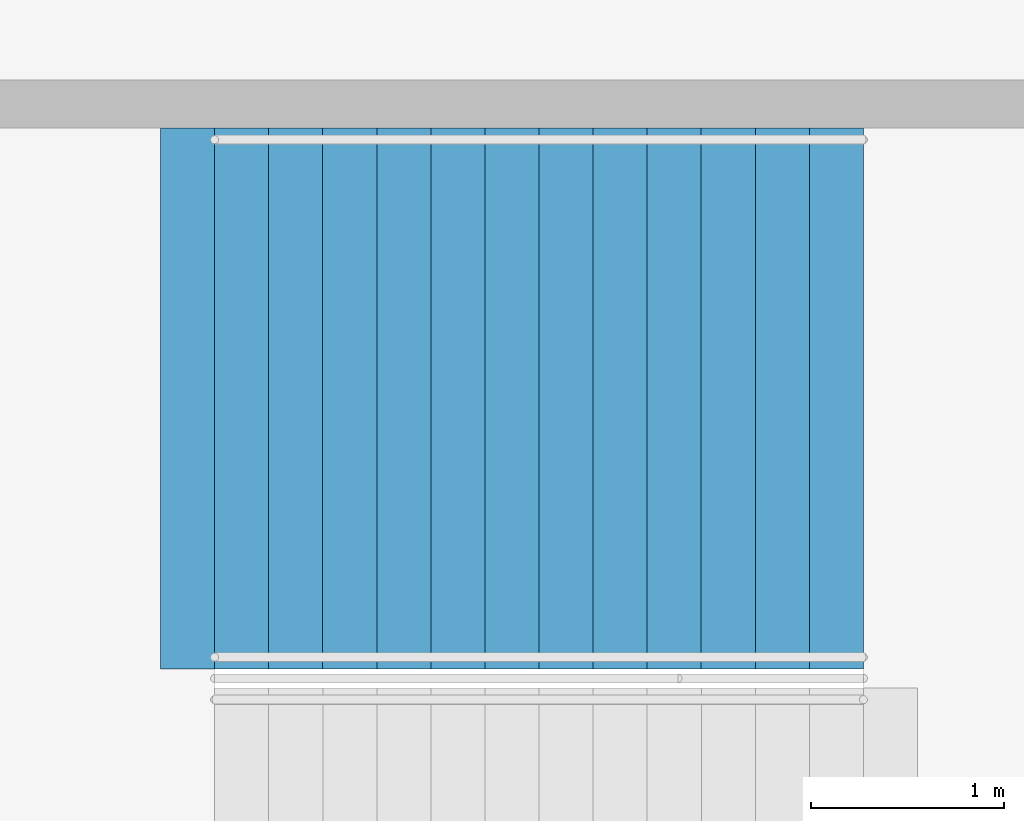
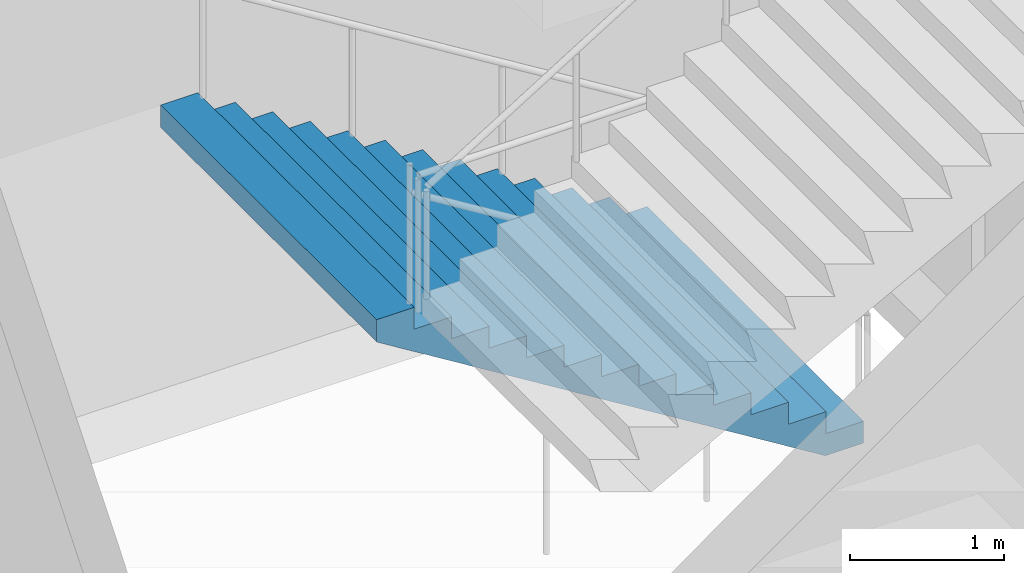
# One storey, part 108 of 175: 1 stair flight, 1 element without a shape of its own.
"""IFC4 building model written with IfcOpenShell, lengths in metres."""

from ifc_helpers import new_model, si_unit, direction, frame, origin, place, context, subcontext, project, spatial, faceted_brep, material, type_object, element, aggregate, save


model = new_model("IFC4")

# Units and contexts
model_context = context("Model", 3, precision=1e-05, world=origin(), true_north=direction((0.0, 1.0)))
body_context = subcontext(model_context, "Body", "Model", "MODEL_VIEW")
ifc_project = project(units=[si_unit("LENGTHUNIT", "METRE"), si_unit("AREAUNIT", "SQUARE_METRE"), si_unit("VOLUMEUNIT", "CUBIC_METRE"), si_unit("PLANEANGLEUNIT", "RADIAN"), si_unit("MASSUNIT", "GRAM", prefix="KILO")], contexts=[model_context])

# Site, building, storey
site_placement = place(None, origin())
site = spatial("IfcSite", under=ifc_project, at=site_placement, CompositionType="ELEMENT")
building_placement = place(site_placement, origin())
building = spatial("IfcBuilding", under=site, at=building_placement, Name="Ogive Plaza Stadium", CompositionType="ELEMENT")
storey_placement = place(building_placement, origin())
storey = spatial("IfcBuildingStorey", under=building, at=storey_placement, Name="L00", CompositionType="ELEMENT", Elevation=0.0)

# Stair, stair flight
ifc_material_1 = material(Name="Concrete C40/50", Category="concrete")
stair_type = type_object("IfcStairType", Name="Exit stair", PredefinedType="STRAIGHT_RUN_STAIR", material=ifc_material_1)
stair_placement = place(storey_placement, origin())
stair = element("IfcStair", 1, at=stair_placement, inside=storey, type_object=stair_type, Name="Exit stair ST26A L00 to L01", PredefinedType="STRAIGHT_RUN_STAIR")
ifc_material_2 = material(Name="Concrete C40/50", Category="concrete")
stair_flight_type = type_object("IfcStairFlightType", Name="Exit stair flight", PredefinedType="STRAIGHT", material=ifc_material_2)
stair_flight_placement = place(storey_placement, frame((-76.35009765625, 26.925048828125, 0.0), z_axis=(0.0, 0.0, 1.0), x_axis=(-1.0, 0.0, 0.0)))
stair_flight = element("IfcStairFlight", 2, at=stair_flight_placement, type_object=stair_flight_type, Name="ST26A flight 1", NumberOfRisers=13, NumberOfTreads=12, PredefinedType="STRAIGHT", RiserHeight=0.173076923, TreadLength=0.28, context=body_context, shape_type="Brep", body=[
    faceted_brep([(0.28515625, -1.39990234375, 0.0), (3.639892578125, -1.39990234375, 2.07373046875), (3.639892578125, -1.39990234375, 2.25), (3.360107421875, -1.39990234375, 2.25), (3.360107421875, -1.39990234375, 2.076904296875), (3.080078125, -1.39990234375, 2.076904296875), (3.080078125, -1.39990234375, 1.90380859375), (2.800048828125, -1.39990234375, 1.90380859375), (2.800048828125, -1.39990234375, 1.730712890625), (2.52001953125, -1.39990234375, 1.730712890625), (2.52001953125, -1.39990234375, 1.5576171875), (2.239990234375, -1.39990234375, 1.5576171875), (2.239990234375, -1.39990234375, 1.384521484375), (1.9599609375, -1.39990234375, 1.384521484375), (1.9599609375, -1.39990234375, 1.21142578125), (1.679931640625, -1.39990234375, 1.21142578125), (1.679931640625, -1.39990234375, 1.03857421875), (1.39990234375, -1.39990234375, 1.03857421875), (1.39990234375, -1.39990234375, 0.865478515625), (1.1201171875, -1.39990234375, 0.865478515625), (1.1201171875, -1.39990234375, 0.6923828125), (0.840087890625, -1.39990234375, 0.6923828125), (0.840087890625, -1.39990234375, 0.519287109375), (0.56005859375, -1.39990234375, 0.519287109375), (0.56005859375, -1.39990234375, 0.34619140625), (0.280029296875, -1.39990234375, 0.34619140625), (0.280029296875, -1.39990234375, 0.173095703125), (0.0, -1.39990234375, 0.173095703125), (0.0, -1.39990234375, 0.0), (0.0, 1.39990234375, 0.0), (0.0, 1.39990234375, 0.173095703125), (0.280029296875, 1.39990234375, 0.173095703125), (0.280029296875, 1.39990234375, 0.34619140625), (0.56005859375, 1.39990234375, 0.34619140625), (0.56005859375, 1.39990234375, 0.519287109375), (0.840087890625, 1.39990234375, 0.519287109375), (0.840087890625, 1.39990234375, 0.6923828125), (1.1201171875, 1.39990234375, 0.6923828125), (1.1201171875, 1.39990234375, 0.865478515625), (1.39990234375, 1.39990234375, 0.865478515625), (1.39990234375, 1.39990234375, 1.03857421875), (1.679931640625, 1.39990234375, 1.03857421875), (1.679931640625, 1.39990234375, 1.21142578125), (1.9599609375, 1.39990234375, 1.21142578125), (1.9599609375, 1.39990234375, 1.384521484375), (2.239990234375, 1.39990234375, 1.384521484375), (2.239990234375, 1.39990234375, 1.5576171875), (2.52001953125, 1.39990234375, 1.5576171875), (2.52001953125, 1.39990234375, 1.730712890625), (2.800048828125, 1.39990234375, 1.730712890625), (2.800048828125, 1.39990234375, 1.90380859375), (3.080078125, 1.39990234375, 1.90380859375), (3.080078125, 1.39990234375, 2.076904296875), (3.360107421875, 1.39990234375, 2.076904296875), (3.360107421875, 1.39990234375, 2.25), (3.639892578125, 1.39990234375, 2.25), (3.639892578125, 1.39990234375, 2.07373046875), (0.28515625, 1.39990234375, 0.0), (0.28515625, -1.0888671875, 0.0), (3.639892578125, -1.0888671875, 2.07373046875), (0.28515625, -0.77783203125, 0.0), (3.639892578125, -0.77783203125, 2.07373046875), (0.28515625, -0.466796875, 0.0), (3.639892578125, -0.466796875, 2.07373046875), (0.28515625, -0.155517578125, 0.0), (3.639892578125, -0.155517578125, 2.07373046875), (0.28515625, 0.155517578125, 0.0), (3.639892578125, 0.155517578125, 2.07373046875), (0.28515625, 0.466796875, 0.0), (3.639892578125, 0.466796875, 2.07373046875), (0.28515625, 0.77783203125, 0.0), (3.639892578125, 0.77783203125, 2.07373046875), (0.28515625, 1.0888671875, 0.0), (3.639892578125, 1.0888671875, 2.07373046875), (3.639892578125, -1.0888671875, 2.25), (3.639892578125, -0.77783203125, 2.25), (3.639892578125, -0.466796875, 2.25), (3.639892578125, -0.155517578125, 2.25), (3.639892578125, 0.155517578125, 2.25), (3.639892578125, 0.466796875, 2.25), (3.639892578125, 0.77783203125, 2.25), (3.639892578125, 1.0888671875, 2.25), (3.360107421875, -1.0888671875, 2.25), (3.360107421875, -0.77783203125, 2.25), (3.360107421875, -0.466796875, 2.25), (3.360107421875, -0.155517578125, 2.25), (3.360107421875, 0.155517578125, 2.25), (3.360107421875, 0.466796875, 2.25), (3.360107421875, 0.77783203125, 2.25), (3.360107421875, 1.0888671875, 2.25), (3.360107421875, -1.0888671875, 2.076904296875), (3.360107421875, -0.77783203125, 2.076904296875), (3.360107421875, -0.466796875, 2.076904296875), (3.360107421875, -0.155517578125, 2.076904296875), (3.360107421875, 0.155517578125, 2.076904296875), (3.360107421875, 0.466796875, 2.076904296875), (3.360107421875, 0.77783203125, 2.076904296875), (3.360107421875, 1.0888671875, 2.076904296875), (3.080078125, -1.0888671875, 2.076904296875), (3.080078125, -0.77783203125, 2.076904296875), (3.080078125, -0.466796875, 2.076904296875), (3.080078125, -0.155517578125, 2.076904296875), (3.080078125, 0.155517578125, 2.076904296875), (3.080078125, 0.466796875, 2.076904296875), (3.080078125, 0.77783203125, 2.076904296875), (3.080078125, 1.0888671875, 2.076904296875), (3.080078125, -1.0888671875, 1.90380859375), (3.080078125, -0.77783203125, 1.90380859375), (3.080078125, -0.466796875, 1.90380859375), (3.080078125, -0.155517578125, 1.90380859375), (3.080078125, 0.155517578125, 1.90380859375), (3.080078125, 0.466796875, 1.90380859375), (3.080078125, 0.77783203125, 1.90380859375), (3.080078125, 1.0888671875, 1.90380859375), (2.800048828125, -1.0888671875, 1.90380859375), (2.800048828125, -0.77783203125, 1.90380859375), (2.800048828125, -0.466796875, 1.90380859375), (2.800048828125, -0.155517578125, 1.90380859375), (2.800048828125, 0.155517578125, 1.90380859375), (2.800048828125, 0.466796875, 1.90380859375), (2.800048828125, 0.77783203125, 1.90380859375), (2.800048828125, 1.0888671875, 1.90380859375), (2.800048828125, -1.0888671875, 1.730712890625), (2.800048828125, -0.77783203125, 1.730712890625), (2.800048828125, -0.466796875, 1.730712890625), (2.800048828125, -0.155517578125, 1.730712890625), (2.800048828125, 0.155517578125, 1.730712890625), (2.800048828125, 0.466796875, 1.730712890625), (2.800048828125, 0.77783203125, 1.730712890625), (2.800048828125, 1.0888671875, 1.730712890625), (2.52001953125, -1.0888671875, 1.730712890625), (2.52001953125, -0.77783203125, 1.730712890625), (2.52001953125, -0.466796875, 1.730712890625), (2.52001953125, -0.155517578125, 1.730712890625), (2.52001953125, 0.155517578125, 1.730712890625), (2.52001953125, 0.466796875, 1.730712890625), (2.52001953125, 0.77783203125, 1.730712890625), (2.52001953125, 1.0888671875, 1.730712890625), (2.52001953125, -1.0888671875, 1.5576171875), (2.52001953125, -0.77783203125, 1.5576171875), (2.52001953125, -0.466796875, 1.5576171875), (2.52001953125, -0.155517578125, 1.5576171875), (2.52001953125, 0.155517578125, 1.5576171875), (2.52001953125, 0.466796875, 1.5576171875), (2.52001953125, 0.77783203125, 1.5576171875), (2.52001953125, 1.0888671875, 1.5576171875), (2.239990234375, -1.0888671875, 1.5576171875), (2.239990234375, -0.77783203125, 1.5576171875), (2.239990234375, -0.466796875, 1.5576171875), (2.239990234375, -0.155517578125, 1.5576171875), (2.239990234375, 0.155517578125, 1.5576171875), (2.239990234375, 0.466796875, 1.5576171875), (2.239990234375, 0.77783203125, 1.5576171875), (2.239990234375, 1.0888671875, 1.5576171875), (2.239990234375, -1.0888671875, 1.384521484375), (2.239990234375, -0.77783203125, 1.384521484375), (2.239990234375, -0.466796875, 1.384521484375), (2.239990234375, -0.155517578125, 1.384521484375), (2.239990234375, 0.155517578125, 1.384521484375), (2.239990234375, 0.466796875, 1.384521484375), (2.239990234375, 0.77783203125, 1.384521484375), (2.239990234375, 1.0888671875, 1.384521484375), (1.9599609375, -1.0888671875, 1.384521484375), (1.9599609375, -0.77783203125, 1.384521484375), (1.9599609375, -0.466796875, 1.384521484375), (1.9599609375, -0.155517578125, 1.384521484375), (1.9599609375, 0.155517578125, 1.384521484375), (1.9599609375, 0.466796875, 1.384521484375), (1.9599609375, 0.77783203125, 1.384521484375), (1.9599609375, 1.0888671875, 1.384521484375), (1.9599609375, -1.0888671875, 1.21142578125), (1.9599609375, -0.77783203125, 1.21142578125), (1.9599609375, -0.466796875, 1.21142578125), (1.9599609375, -0.155517578125, 1.21142578125), (1.9599609375, 0.155517578125, 1.21142578125), (1.9599609375, 0.466796875, 1.21142578125), (1.9599609375, 0.77783203125, 1.21142578125), (1.9599609375, 1.0888671875, 1.21142578125), (1.679931640625, -1.0888671875, 1.21142578125), (1.679931640625, -0.77783203125, 1.21142578125), (1.679931640625, -0.466796875, 1.21142578125), (1.679931640625, -0.155517578125, 1.21142578125), (1.679931640625, 0.155517578125, 1.21142578125), (1.679931640625, 0.466796875, 1.21142578125), (1.679931640625, 0.77783203125, 1.21142578125), (1.679931640625, 1.0888671875, 1.21142578125), (1.679931640625, -1.0888671875, 1.03857421875), (1.679931640625, -0.77783203125, 1.03857421875), (1.679931640625, -0.466796875, 1.03857421875), (1.679931640625, -0.155517578125, 1.03857421875), (1.679931640625, 0.155517578125, 1.03857421875), (1.679931640625, 0.466796875, 1.03857421875), (1.679931640625, 0.77783203125, 1.03857421875), (1.679931640625, 1.0888671875, 1.03857421875), (1.39990234375, -1.0888671875, 1.03857421875), (1.39990234375, -0.77783203125, 1.03857421875), (1.39990234375, -0.466796875, 1.03857421875), (1.39990234375, -0.155517578125, 1.03857421875), (1.39990234375, 0.155517578125, 1.03857421875), (1.39990234375, 0.466796875, 1.03857421875), (1.39990234375, 0.77783203125, 1.03857421875), (1.39990234375, 1.0888671875, 1.03857421875), (1.39990234375, -1.0888671875, 0.865478515625), (1.39990234375, -0.77783203125, 0.865478515625), (1.39990234375, -0.466796875, 0.865478515625), (1.39990234375, -0.155517578125, 0.865478515625), (1.39990234375, 0.155517578125, 0.865478515625), (1.39990234375, 0.466796875, 0.865478515625), (1.39990234375, 0.77783203125, 0.865478515625), (1.39990234375, 1.0888671875, 0.865478515625), (1.1201171875, -1.0888671875, 0.865478515625), (1.1201171875, -0.77783203125, 0.865478515625), (1.1201171875, -0.466796875, 0.865478515625), (1.1201171875, -0.155517578125, 0.865478515625), (1.1201171875, 0.155517578125, 0.865478515625), (1.1201171875, 0.466796875, 0.865478515625), (1.1201171875, 0.77783203125, 0.865478515625), (1.1201171875, 1.0888671875, 0.865478515625), (1.1201171875, -1.0888671875, 0.6923828125), (1.1201171875, -0.77783203125, 0.6923828125), (1.1201171875, -0.466796875, 0.6923828125), (1.1201171875, -0.155517578125, 0.6923828125), (1.1201171875, 0.155517578125, 0.6923828125), (1.1201171875, 0.466796875, 0.6923828125), (1.1201171875, 0.77783203125, 0.6923828125), (1.1201171875, 1.0888671875, 0.6923828125), (0.840087890625, -1.0888671875, 0.6923828125), (0.840087890625, -0.77783203125, 0.6923828125), (0.840087890625, -0.466796875, 0.6923828125), (0.840087890625, -0.155517578125, 0.6923828125), (0.840087890625, 0.155517578125, 0.6923828125), (0.840087890625, 0.466796875, 0.6923828125), (0.840087890625, 0.77783203125, 0.6923828125), (0.840087890625, 1.0888671875, 0.6923828125), (0.840087890625, -1.0888671875, 0.519287109375), (0.840087890625, -0.77783203125, 0.519287109375), (0.840087890625, -0.466796875, 0.519287109375), (0.840087890625, -0.155517578125, 0.519287109375), (0.840087890625, 0.155517578125, 0.519287109375), (0.840087890625, 0.466796875, 0.519287109375), (0.840087890625, 0.77783203125, 0.519287109375), (0.840087890625, 1.0888671875, 0.519287109375), (0.56005859375, -1.0888671875, 0.519287109375), (0.56005859375, -0.77783203125, 0.519287109375), (0.56005859375, -0.466796875, 0.519287109375), (0.56005859375, -0.155517578125, 0.519287109375), (0.56005859375, 0.155517578125, 0.519287109375), (0.56005859375, 0.466796875, 0.519287109375), (0.56005859375, 0.77783203125, 0.519287109375), (0.56005859375, 1.0888671875, 0.519287109375), (0.56005859375, -1.0888671875, 0.34619140625), (0.56005859375, -0.77783203125, 0.34619140625), (0.56005859375, -0.466796875, 0.34619140625), (0.56005859375, -0.155517578125, 0.34619140625), (0.56005859375, 0.155517578125, 0.34619140625), (0.56005859375, 0.466796875, 0.34619140625), (0.56005859375, 0.77783203125, 0.34619140625), (0.56005859375, 1.0888671875, 0.34619140625), (0.280029296875, -1.0888671875, 0.34619140625), (0.280029296875, -0.77783203125, 0.34619140625), (0.280029296875, -0.466796875, 0.34619140625), (0.280029296875, -0.155517578125, 0.34619140625), (0.280029296875, 0.155517578125, 0.34619140625), (0.280029296875, 0.466796875, 0.34619140625), (0.280029296875, 0.77783203125, 0.34619140625), (0.280029296875, 1.0888671875, 0.34619140625), (0.280029296875, -1.0888671875, 0.173095703125), (0.280029296875, -0.77783203125, 0.173095703125), (0.280029296875, -0.466796875, 0.173095703125), (0.280029296875, -0.155517578125, 0.173095703125), (0.280029296875, 0.155517578125, 0.173095703125), (0.280029296875, 0.466796875, 0.173095703125), (0.280029296875, 0.77783203125, 0.173095703125), (0.280029296875, 1.0888671875, 0.173095703125), (0.0, -1.0888671875, 0.173095703125), (0.0, -0.77783203125, 0.173095703125), (0.0, -0.466796875, 0.173095703125), (0.0, -0.155517578125, 0.173095703125), (0.0, 0.155517578125, 0.173095703125), (0.0, 0.466796875, 0.173095703125), (0.0, 0.77783203125, 0.173095703125), (0.0, 1.0888671875, 0.173095703125), (0.0, -1.0888671875, 0.0), (0.0, -0.77783203125, 0.0), (0.0, -0.466796875, 0.0), (0.0, -0.155517578125, 0.0), (0.0, 0.155517578125, 0.0), (0.0, 0.466796875, 0.0), (0.0, 0.77783203125, 0.0), (0.0, 1.0888671875, 0.0)], [[[0, 1, 2, 3, 4, 5, 6, 7, 8, 9, 10, 11, 12, 13, 14, 15, 16, 17, 18, 19, 20, 21, 22, 23, 24, 25, 26, 27, 28]], [[29, 30, 31, 32, 33, 34, 35, 36, 37, 38, 39, 40, 41, 42, 43, 44, 45, 46, 47, 48, 49, 50, 51, 52, 53, 54, 55, 56, 57]], [[0, 58, 59, 1]], [[58, 60, 61, 59]], [[60, 62, 63, 61]], [[62, 64, 65, 63]], [[64, 66, 67, 65]], [[66, 68, 69, 67]], [[68, 70, 71, 69]], [[70, 72, 73, 71]], [[72, 57, 56, 73]], [[1, 59, 74, 2]], [[59, 61, 75, 74]], [[61, 63, 76, 75]], [[63, 65, 77, 76]], [[65, 67, 78, 77]], [[67, 69, 79, 78]], [[69, 71, 80, 79]], [[71, 73, 81, 80]], [[73, 56, 55, 81]], [[2, 74, 82, 3]], [[74, 75, 83, 82]], [[75, 76, 84, 83]], [[76, 77, 85, 84]], [[77, 78, 86, 85]], [[78, 79, 87, 86]], [[79, 80, 88, 87]], [[80, 81, 89, 88]], [[81, 55, 54, 89]], [[3, 82, 90, 4]], [[82, 83, 91, 90]], [[83, 84, 92, 91]], [[84, 85, 93, 92]], [[85, 86, 94, 93]], [[86, 87, 95, 94]], [[87, 88, 96, 95]], [[88, 89, 97, 96]], [[89, 54, 53, 97]], [[4, 90, 98, 5]], [[90, 91, 99, 98]], [[91, 92, 100, 99]], [[92, 93, 101, 100]], [[93, 94, 102, 101]], [[94, 95, 103, 102]], [[95, 96, 104, 103]], [[96, 97, 105, 104]], [[97, 53, 52, 105]], [[5, 98, 106, 6]], [[98, 99, 107, 106]], [[99, 100, 108, 107]], [[100, 101, 109, 108]], [[101, 102, 110, 109]], [[102, 103, 111, 110]], [[103, 104, 112, 111]], [[104, 105, 113, 112]], [[105, 52, 51, 113]], [[6, 106, 114, 7]], [[106, 107, 115, 114]], [[107, 108, 116, 115]], [[108, 109, 117, 116]], [[109, 110, 118, 117]], [[110, 111, 119, 118]], [[111, 112, 120, 119]], [[112, 113, 121, 120]], [[113, 51, 50, 121]], [[7, 114, 122, 8]], [[114, 115, 123, 122]], [[115, 116, 124, 123]], [[116, 117, 125, 124]], [[117, 118, 126, 125]], [[118, 119, 127, 126]], [[119, 120, 128, 127]], [[120, 121, 129, 128]], [[121, 50, 49, 129]], [[8, 122, 130, 9]], [[122, 123, 131, 130]], [[123, 124, 132, 131]], [[124, 125, 133, 132]], [[125, 126, 134, 133]], [[126, 127, 135, 134]], [[127, 128, 136, 135]], [[128, 129, 137, 136]], [[129, 49, 48, 137]], [[9, 130, 138, 10]], [[130, 131, 139, 138]], [[131, 132, 140, 139]], [[132, 133, 141, 140]], [[133, 134, 142, 141]], [[134, 135, 143, 142]], [[135, 136, 144, 143]], [[136, 137, 145, 144]], [[137, 48, 47, 145]], [[10, 138, 146, 11]], [[138, 139, 147, 146]], [[139, 140, 148, 147]], [[140, 141, 149, 148]], [[141, 142, 150, 149]], [[142, 143, 151, 150]], [[143, 144, 152, 151]], [[144, 145, 153, 152]], [[145, 47, 46, 153]], [[11, 146, 154, 12]], [[146, 147, 155, 154]], [[147, 148, 156, 155]], [[148, 149, 157, 156]], [[149, 150, 158, 157]], [[150, 151, 159, 158]], [[151, 152, 160, 159]], [[152, 153, 161, 160]], [[153, 46, 45, 161]], [[12, 154, 162, 13]], [[154, 155, 163, 162]], [[155, 156, 164, 163]], [[156, 157, 165, 164]], [[157, 158, 166, 165]], [[158, 159, 167, 166]], [[159, 160, 168, 167]], [[160, 161, 169, 168]], [[161, 45, 44, 169]], [[13, 162, 170, 14]], [[162, 163, 171, 170]], [[163, 164, 172, 171]], [[164, 165, 173, 172]], [[165, 166, 174, 173]], [[166, 167, 175, 174]], [[167, 168, 176, 175]], [[168, 169, 177, 176]], [[169, 44, 43, 177]], [[14, 170, 178, 15]], [[170, 171, 179, 178]], [[171, 172, 180, 179]], [[172, 173, 181, 180]], [[173, 174, 182, 181]], [[174, 175, 183, 182]], [[175, 176, 184, 183]], [[176, 177, 185, 184]], [[177, 43, 42, 185]], [[15, 178, 186, 16]], [[178, 179, 187, 186]], [[179, 180, 188, 187]], [[180, 181, 189, 188]], [[181, 182, 190, 189]], [[182, 183, 191, 190]], [[183, 184, 192, 191]], [[184, 185, 193, 192]], [[185, 42, 41, 193]], [[16, 186, 194, 17]], [[186, 187, 195, 194]], [[187, 188, 196, 195]], [[188, 189, 197, 196]], [[189, 190, 198, 197]], [[190, 191, 199, 198]], [[191, 192, 200, 199]], [[192, 193, 201, 200]], [[193, 41, 40, 201]], [[17, 194, 202, 18]], [[194, 195, 203, 202]], [[195, 196, 204, 203]], [[196, 197, 205, 204]], [[197, 198, 206, 205]], [[198, 199, 207, 206]], [[199, 200, 208, 207]], [[200, 201, 209, 208]], [[201, 40, 39, 209]], [[18, 202, 210, 19]], [[202, 203, 211, 210]], [[203, 204, 212, 211]], [[204, 205, 213, 212]], [[205, 206, 214, 213]], [[206, 207, 215, 214]], [[207, 208, 216, 215]], [[208, 209, 217, 216]], [[209, 39, 38, 217]], [[19, 210, 218, 20]], [[210, 211, 219, 218]], [[211, 212, 220, 219]], [[212, 213, 221, 220]], [[213, 214, 222, 221]], [[214, 215, 223, 222]], [[215, 216, 224, 223]], [[216, 217, 225, 224]], [[217, 38, 37, 225]], [[20, 218, 226, 21]], [[218, 219, 227, 226]], [[219, 220, 228, 227]], [[220, 221, 229, 228]], [[221, 222, 230, 229]], [[222, 223, 231, 230]], [[223, 224, 232, 231]], [[224, 225, 233, 232]], [[225, 37, 36, 233]], [[21, 226, 234, 22]], [[226, 227, 235, 234]], [[227, 228, 236, 235]], [[228, 229, 237, 236]], [[229, 230, 238, 237]], [[230, 231, 239, 238]], [[231, 232, 240, 239]], [[232, 233, 241, 240]], [[233, 36, 35, 241]], [[22, 234, 242, 23]], [[234, 235, 243, 242]], [[235, 236, 244, 243]], [[236, 237, 245, 244]], [[237, 238, 246, 245]], [[238, 239, 247, 246]], [[239, 240, 248, 247]], [[240, 241, 249, 248]], [[241, 35, 34, 249]], [[23, 242, 250, 24]], [[242, 243, 251, 250]], [[243, 244, 252, 251]], [[244, 245, 253, 252]], [[245, 246, 254, 253]], [[246, 247, 255, 254]], [[247, 248, 256, 255]], [[248, 249, 257, 256]], [[249, 34, 33, 257]], [[24, 250, 258, 25]], [[250, 251, 259, 258]], [[251, 252, 260, 259]], [[252, 253, 261, 260]], [[253, 254, 262, 261]], [[254, 255, 263, 262]], [[255, 256, 264, 263]], [[256, 257, 265, 264]], [[257, 33, 32, 265]], [[25, 258, 266, 26]], [[258, 259, 267, 266]], [[259, 260, 268, 267]], [[260, 261, 269, 268]], [[261, 262, 270, 269]], [[262, 263, 271, 270]], [[263, 264, 272, 271]], [[264, 265, 273, 272]], [[265, 32, 31, 273]], [[26, 266, 274, 27]], [[266, 267, 275, 274]], [[267, 268, 276, 275]], [[268, 269, 277, 276]], [[269, 270, 278, 277]], [[270, 271, 279, 278]], [[271, 272, 280, 279]], [[272, 273, 281, 280]], [[273, 31, 30, 281]], [[27, 274, 282, 28]], [[274, 275, 283, 282]], [[275, 276, 284, 283]], [[276, 277, 285, 284]], [[277, 278, 286, 285]], [[278, 279, 287, 286]], [[279, 280, 288, 287]], [[280, 281, 289, 288]], [[281, 30, 29, 289]], [[28, 282, 58, 0]], [[282, 283, 60, 58]], [[283, 284, 62, 60]], [[284, 285, 64, 62]], [[285, 286, 66, 64]], [[286, 287, 68, 66]], [[287, 288, 70, 68]], [[288, 289, 72, 70]], [[289, 29, 57, 72]]]),
])
aggregate(stair, [stair_flight])

save(model, "model.ifc")
